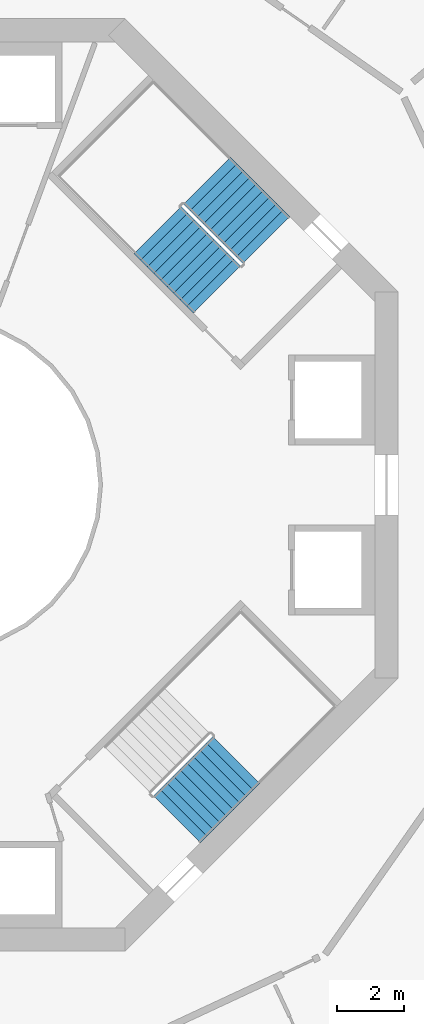
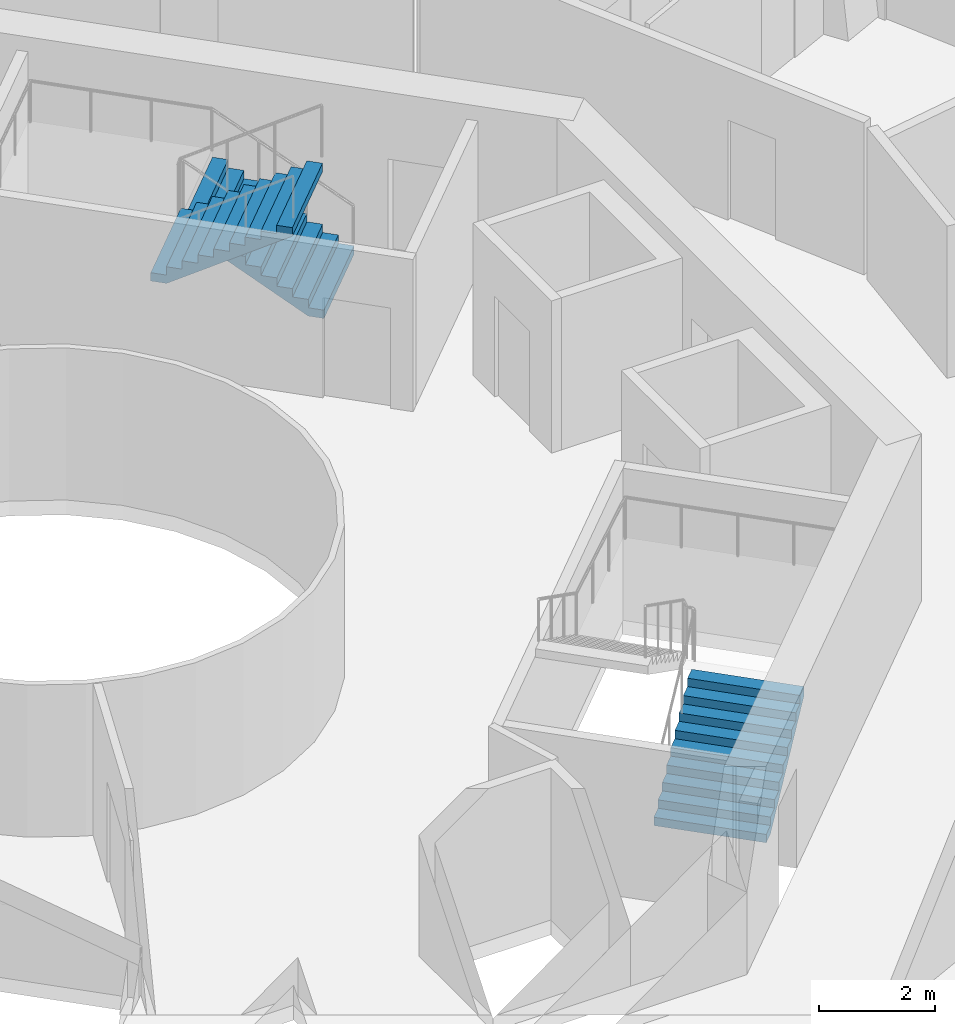
# One storey, part 22 of 23: 3 stair flights, 2 elements without a shape of their own.
"""IFC4 building model written with IfcOpenShell, lengths in metres."""

from ifc_helpers import new_model, si_unit, direction, frame, origin, place, context, subcontext, project, spatial, triangles, material, type_object, element, aggregate, save


model = new_model("IFC4")

# Units and contexts
model_context = context("Model", 3, precision=1e-05, world=origin(), true_north=direction((0.0, 1.0)))
body_context = subcontext(model_context, "Body", "Model", "MODEL_VIEW")
ifc_project = project(units=[si_unit("LENGTHUNIT", "METRE"), si_unit("AREAUNIT", "SQUARE_METRE"), si_unit("VOLUMEUNIT", "CUBIC_METRE"), si_unit("PLANEANGLEUNIT", "RADIAN"), si_unit("MASSUNIT", "GRAM", prefix="KILO")], contexts=[model_context])

# Site, building, storey
site_placement = place(None, origin())
site = spatial("IfcSite", under=ifc_project, at=site_placement, CompositionType="ELEMENT")
building_placement = place(site_placement, origin())
building = spatial("IfcBuilding", under=site, at=building_placement, Name="Verdalira Terraces Hotel", CompositionType="ELEMENT")
storey_placement = place(building_placement, frame((0.0, 0.0, 136.5)))
storey = spatial("IfcBuildingStorey", under=building, at=storey_placement, Name="L32", CompositionType="ELEMENT", Elevation=136.5)

# Stair, stair flights
ifc_material_1 = material(Name="Concrete C40", Category="concrete")
stair_type = type_object("IfcStairType", Name="Core stair 20 risers 2000 mm wide", PredefinedType="HALF_TURN_STAIR", material=ifc_material_1)
stair_1_placement = place(storey_placement, origin())
stair_1 = element("IfcStair", 1, at=stair_1_placement, inside=storey, type_object=stair_type, Name="L32 Exit stair ST1", PredefinedType="HALF_TURN_STAIR")
ifc_material_2 = material(Name="Concrete C40", Category="concrete")
stair_flight_type = type_object("IfcStairFlightType", Name="Core stair flight 20 risers 2000 mm wide", PredefinedType="STRAIGHT", material=ifc_material_2)
stair_flight_1_placement = place(storey_placement, frame((10.041016, 7.354004, 0.0), z_axis=(0.0, 0.0, 1.0), x_axis=(-0.707106781, 0.707106781, 0.0)))
stair_flight_1 = element("IfcStairFlight", 2, at=stair_flight_1_placement, type_object=stair_flight_type, Name="ST1 flight 1", NumberOfRisers=10, NumberOfTreads=9, PredefinedType="STRAIGHT", RiserHeight=0.175, TreadLength=0.28, context=body_context, shape_type="Tessellation", body=[
    triangles([(0.0, 1.0, 0.0), (0.282715, 1.0, 0.0), (2.52002, 1.0, 1.398193), (0.0, -1.0, 0.0), (0.282715, -1.0, 0.0), (2.52002, -1.0, 1.398193), (2.52002, 1.0, 1.574951), (2.23999, 1.0, 1.574951), (2.52002, -1.0, 1.574951), (2.23999, -1.0, 1.574951), (2.23999, 1.0, 1.399902), (2.23999, -1.0, 1.399902), (1.959961, 1.0, 1.399902), (1.959961, -1.0, 1.399902), (1.959961, 1.0, 1.225098), (1.959961, -1.0, 1.225098), (1.679932, 1.0, 1.225098), (1.679932, 1.0, 1.050049), (1.679932, -1.0, 1.225098), (1.679932, -1.0, 1.050049), (1.399902, 1.0, 1.050049), (1.399902, 1.0, 0.875), (1.399902, -1.0, 1.050049), (1.399902, -1.0, 0.875), (1.120117, 1.0, 0.875), (1.120117, 1.0, 0.699951), (1.120117, -1.0, 0.875), (1.120117, -1.0, 0.699951), (0.840088, 1.0, 0.699951), (0.840088, 1.0, 0.524902), (0.840088, -1.0, 0.699951), (0.840088, -1.0, 0.524902), (0.560059, 1.0, 0.524902), (0.560059, 1.0, 0.350098), (0.560059, -1.0, 0.524902), (0.560059, -1.0, 0.350098), (0.280029, 1.0, 0.350098), (0.280029, 1.0, 0.175049), (0.280029, -1.0, 0.350098), (0.280029, -1.0, 0.175049), (0.0, 1.0, 0.175049), (0.0, -1.0, 0.175049), (0.0, -0.9375, 0.0), (0.0, -0.9375, 0.175049), (0.0, -0.875, 0.0), (0.0, -0.875, 0.175049), (0.0, -0.8125, 0.0), (0.0, -0.8125, 0.175049), (0.0, -0.75, 0.0), (0.0, -0.75, 0.175049), (0.0, -0.6875, 0.0), (0.0, -0.6875, 0.175049), (0.0, -0.625, 0.0), (0.0, -0.625, 0.175049), (0.0, -0.5625, 0.0), (0.0, -0.5625, 0.175049), (0.0, -0.5, 0.0), (0.0, -0.5, 0.175049), (0.0, -0.4375, 0.0), (0.0, -0.4375, 0.175049), (0.0, -0.375, 0.0), (0.0, -0.375, 0.175049), (0.0, -0.3125, 0.0), (0.0, -0.3125, 0.175049), (0.0, -0.25, 0.0), (0.0, -0.25, 0.175049), (0.0, -0.1875, 0.0), (0.0, -0.1875, 0.175049), (0.0, -0.125, 0.0), (0.0, -0.125, 0.175049), (0.0, -0.0625, 0.0), (0.0, -0.0625, 0.175049), (0.0, 0.0, 0.0), (0.0, 0.0, 0.175049), (0.0, 0.0625, 0.0), (0.0, 0.0625, 0.175049), (0.0, 0.125, 0.0), (0.0, 0.125, 0.175049), (0.0, 0.1875, 0.0), (0.0, 0.1875, 0.175049), (0.0, 0.25, 0.0), (0.0, 0.25, 0.175049), (0.0, 0.3125, 0.0), (0.0, 0.3125, 0.175049), (0.0, 0.375, 0.0), (0.0, 0.375, 0.175049), (0.0, 0.4375, 0.0), (0.0, 0.4375, 0.175049), (0.0, 0.5, 0.0), (0.0, 0.5, 0.175049), (0.0, 0.5625, 0.0), (0.0, 0.5625, 0.175049), (0.0, 0.625, 0.0), (0.0, 0.625, 0.175049), (0.0, 0.6875, 0.0), (0.0, 0.6875, 0.175049), (0.0, 0.75, 0.0), (0.0, 0.75, 0.175049), (0.0, 0.8125, 0.0), (0.0, 0.8125, 0.175049), (0.0, 0.875, 0.0), (0.0, 0.875, 0.175049), (0.0, 0.9375, 0.0), (0.0, 0.9375, 0.175049), (2.52002, -0.9375, 1.574951), (2.52002, -0.875, 1.574951), (2.52002, -0.8125, 1.574951), (2.52002, -0.75, 1.574951), (2.52002, -0.6875, 1.574951), (2.52002, -0.625, 1.574951), (2.52002, -0.5625, 1.574951), (2.52002, -0.5, 1.574951), (2.52002, -0.4375, 1.574951), (2.52002, -0.375, 1.574951), (2.52002, -0.3125, 1.574951), (2.52002, -0.25, 1.574951), (2.52002, -0.1875, 1.574951), (2.52002, -0.125, 1.574951), (2.52002, -0.0625, 1.574951), (2.52002, 0.0, 1.574951), (2.52002, 0.0625, 1.574951), (2.52002, 0.125, 1.574951), (2.52002, 0.1875, 1.574951), (2.52002, 0.25, 1.574951), (2.52002, 0.3125, 1.574951), (2.52002, 0.375, 1.574951), (2.52002, 0.4375, 1.574951), (2.52002, 0.5, 1.574951), (2.52002, 0.5625, 1.574951), (2.52002, 0.625, 1.574951), (2.52002, 0.6875, 1.574951), (2.52002, 0.75, 1.574951), (2.52002, 0.8125, 1.574951), (2.52002, 0.875, 1.574951), (2.52002, 0.9375, 1.574951), (2.52002, -0.9375, 1.398193), (2.52002, -0.875, 1.398193), (2.52002, -0.8125, 1.398193), (2.52002, -0.75, 1.398193), (2.52002, -0.6875, 1.398193), (2.52002, -0.625, 1.398193), (2.52002, -0.5625, 1.398193), (2.52002, -0.5, 1.398193), (2.52002, -0.4375, 1.398193), (2.52002, -0.375, 1.398193), (2.52002, -0.3125, 1.398193), (2.52002, -0.25, 1.398193), (2.52002, -0.1875, 1.398193), (2.52002, -0.125, 1.398193), (2.52002, -0.0625, 1.398193), (2.52002, 0.0, 1.398193), (2.52002, 0.0625, 1.398193), (2.52002, 0.125, 1.398193), (2.52002, 0.1875, 1.398193), (2.52002, 0.25, 1.398193), (2.52002, 0.3125, 1.398193), (2.52002, 0.375, 1.398193), (2.52002, 0.4375, 1.398193), (2.52002, 0.5, 1.398193), (2.52002, 0.5625, 1.398193), (2.52002, 0.625, 1.398193), (2.52002, 0.6875, 1.398193), (2.52002, 0.75, 1.398193), (2.52002, 0.8125, 1.398193), (2.52002, 0.875, 1.398193), (2.52002, 0.9375, 1.398193)], [[1, 3, 2], [4, 5, 6], [3, 8, 7], [6, 9, 10], [3, 11, 8], [6, 10, 12], [3, 13, 11], [6, 12, 14], [3, 15, 13], [6, 14, 16], [15, 18, 17], [16, 19, 20], [3, 18, 15], [6, 16, 20], [18, 22, 21], [20, 23, 24], [3, 22, 18], [6, 20, 24], [22, 26, 25], [24, 27, 28], [3, 26, 22], [6, 24, 28], [26, 30, 29], [28, 31, 32], [3, 30, 26], [6, 28, 32], [1, 30, 3], [4, 6, 32], [30, 34, 33], [32, 35, 36], [34, 38, 37], [36, 39, 40], [30, 38, 34], [32, 36, 40], [1, 38, 30], [4, 32, 40], [38, 1, 41], [40, 42, 4], [4, 44, 43], [4, 42, 44], [43, 46, 45], [43, 44, 46], [45, 48, 47], [45, 46, 48], [47, 50, 49], [47, 48, 50], [49, 52, 51], [49, 50, 52], [51, 54, 53], [51, 52, 54], [53, 56, 55], [53, 54, 56], [55, 58, 57], [55, 56, 58], [57, 60, 59], [57, 58, 60], [59, 62, 61], [59, 60, 62], [61, 64, 63], [61, 62, 64], [63, 66, 65], [63, 64, 66], [65, 68, 67], [65, 66, 68], [67, 70, 69], [67, 68, 70], [69, 72, 71], [69, 70, 72], [71, 74, 73], [71, 72, 74], [73, 76, 75], [73, 74, 76], [75, 78, 77], [75, 76, 78], [77, 80, 79], [77, 78, 80], [79, 82, 81], [79, 80, 82], [81, 84, 83], [81, 82, 84], [83, 86, 85], [83, 84, 86], [85, 88, 87], [85, 86, 88], [87, 90, 89], [87, 88, 90], [89, 92, 91], [89, 90, 92], [91, 94, 93], [91, 92, 94], [93, 96, 95], [93, 94, 96], [95, 98, 97], [95, 96, 98], [97, 100, 99], [97, 98, 100], [99, 102, 101], [99, 100, 102], [101, 104, 103], [101, 102, 104], [103, 41, 1], [103, 104, 41], [42, 40, 44], [44, 40, 46], [46, 40, 48], [48, 40, 50], [50, 40, 52], [52, 40, 54], [54, 40, 56], [56, 40, 58], [58, 40, 60], [60, 40, 62], [62, 40, 64], [64, 40, 66], [66, 40, 68], [68, 40, 70], [70, 40, 72], [72, 40, 74], [74, 40, 76], [76, 40, 78], [78, 40, 80], [80, 40, 82], [82, 40, 84], [84, 40, 86], [86, 40, 88], [88, 40, 90], [90, 40, 92], [92, 40, 94], [94, 40, 96], [96, 40, 98], [98, 40, 100], [100, 40, 102], [102, 40, 104], [104, 40, 41], [41, 40, 38], [40, 37, 38], [40, 39, 37], [39, 34, 37], [39, 36, 34], [36, 33, 34], [36, 35, 33], [35, 30, 33], [35, 32, 30], [32, 29, 30], [32, 31, 29], [31, 26, 29], [31, 28, 26], [28, 25, 26], [28, 27, 25], [27, 22, 25], [27, 24, 22], [24, 21, 22], [24, 23, 21], [23, 18, 21], [23, 20, 18], [20, 17, 18], [20, 19, 17], [19, 15, 17], [19, 16, 15], [16, 13, 15], [16, 14, 13], [14, 11, 13], [14, 12, 11], [12, 8, 11], [12, 10, 8], [9, 105, 10], [105, 106, 10], [106, 107, 10], [107, 108, 10], [108, 109, 10], [109, 110, 10], [110, 111, 10], [111, 112, 10], [112, 113, 10], [113, 114, 10], [114, 115, 10], [115, 116, 10], [116, 117, 10], [117, 118, 10], [118, 119, 10], [119, 120, 10], [120, 121, 10], [121, 122, 10], [122, 123, 10], [123, 124, 10], [124, 125, 10], [125, 126, 10], [126, 127, 10], [127, 128, 10], [128, 129, 10], [129, 130, 10], [130, 131, 10], [131, 132, 10], [132, 133, 10], [133, 134, 10], [134, 135, 10], [135, 7, 10], [7, 8, 10], [9, 136, 105], [9, 6, 136], [105, 137, 106], [105, 136, 137], [106, 138, 107], [106, 137, 138], [107, 139, 108], [107, 138, 139], [108, 140, 109], [108, 139, 140], [109, 141, 110], [109, 140, 141], [110, 142, 111], [110, 141, 142], [111, 143, 112], [111, 142, 143], [112, 144, 113], [112, 143, 144], [113, 145, 114], [113, 144, 145], [114, 146, 115], [114, 145, 146], [115, 147, 116], [115, 146, 147], [116, 148, 117], [116, 147, 148], [117, 149, 118], [117, 148, 149], [118, 150, 119], [118, 149, 150], [119, 151, 120], [119, 150, 151], [120, 152, 121], [120, 151, 152], [121, 153, 122], [121, 152, 153], [122, 154, 123], [122, 153, 154], [123, 155, 124], [123, 154, 155], [124, 156, 125], [124, 155, 156], [125, 157, 126], [125, 156, 157], [126, 158, 127], [126, 157, 158], [127, 159, 128], [127, 158, 159], [128, 160, 129], [128, 159, 160], [129, 161, 130], [129, 160, 161], [130, 162, 131], [130, 161, 162], [131, 163, 132], [131, 162, 163], [132, 164, 133], [132, 163, 164], [133, 165, 134], [133, 164, 165], [134, 166, 135], [134, 165, 166], [135, 3, 7], [135, 166, 3], [6, 5, 136], [136, 5, 137], [137, 5, 138], [138, 5, 139], [139, 5, 140], [140, 5, 141], [141, 5, 142], [142, 5, 143], [143, 5, 144], [144, 5, 145], [145, 5, 146], [146, 5, 147], [147, 5, 148], [148, 5, 149], [149, 5, 150], [150, 5, 151], [151, 5, 152], [152, 5, 153], [153, 5, 154], [154, 5, 155], [155, 5, 156], [156, 5, 157], [157, 5, 158], [158, 5, 159], [159, 5, 160], [160, 5, 161], [161, 5, 162], [162, 5, 163], [163, 5, 164], [164, 5, 165], [165, 5, 166], [166, 5, 3], [3, 5, 2], [4, 43, 5], [43, 45, 5], [45, 47, 5], [47, 49, 5], [49, 51, 5], [51, 53, 5], [53, 55, 5], [55, 57, 5], [57, 59, 5], [59, 61, 5], [61, 63, 5], [63, 65, 5], [65, 67, 5], [67, 69, 5], [69, 71, 5], [71, 73, 5], [73, 75, 5], [75, 77, 5], [77, 79, 5], [79, 81, 5], [81, 83, 5], [83, 85, 5], [85, 87, 5], [87, 89, 5], [89, 91, 5], [91, 93, 5], [93, 95, 5], [95, 97, 5], [97, 99, 5], [99, 101, 5], [101, 103, 5], [103, 1, 5], [1, 2, 5]], closed=True),
])
stair_flight_2_placement = place(storey_placement, frame((6.77417, 7.650879, 1.75), z_axis=(0.0, 0.0, 1.0), x_axis=(0.707106781, -0.707106781, 0.0)))
stair_flight_2 = element("IfcStairFlight", 3, at=stair_flight_2_placement, type_object=stair_flight_type, Name="ST1 flight 2", NumberOfRisers=10, NumberOfTreads=9, PredefinedType="STRAIGHT", RiserHeight=0.175, TreadLength=0.28, context=body_context, shape_type="Tessellation", body=[
    triangles([(0.0, 1.0, 0.0), (0.282715, 1.0, 0.0), (2.52002, 1.0, 1.398193), (0.0, -1.0, 0.0), (0.282715, -1.0, 0.0), (2.52002, -1.0, 1.398193), (2.52002, 1.0, 1.574951), (2.23999, 1.0, 1.574951), (2.52002, -1.0, 1.574951), (2.23999, -1.0, 1.574951), (2.23999, 1.0, 1.399902), (2.23999, -1.0, 1.399902), (1.959961, 1.0, 1.399902), (1.959961, -1.0, 1.399902), (1.959961, 1.0, 1.225098), (1.959961, -1.0, 1.225098), (1.679932, 1.0, 1.225098), (1.679932, 1.0, 1.050049), (1.679932, -1.0, 1.225098), (1.679932, -1.0, 1.050049), (1.399902, 1.0, 1.050049), (1.399902, 1.0, 0.875), (1.399902, -1.0, 1.050049), (1.399902, -1.0, 0.875), (1.120117, 1.0, 0.875), (1.120117, 1.0, 0.699951), (1.120117, -1.0, 0.875), (1.120117, -1.0, 0.699951), (0.840088, 1.0, 0.699951), (0.840088, 1.0, 0.524902), (0.840088, -1.0, 0.699951), (0.840088, -1.0, 0.524902), (0.560059, 1.0, 0.524902), (0.560059, 1.0, 0.350098), (0.560059, -1.0, 0.524902), (0.560059, -1.0, 0.350098), (0.280029, 1.0, 0.350098), (0.280029, 1.0, 0.175049), (0.280029, -1.0, 0.350098), (0.280029, -1.0, 0.175049), (0.0, 1.0, 0.175049), (0.0, -1.0, 0.175049), (0.0, -0.9375, 0.0), (0.0, -0.9375, 0.175049), (0.0, -0.875, 0.0), (0.0, -0.875, 0.175049), (0.0, -0.8125, 0.0), (0.0, -0.8125, 0.175049), (0.0, -0.75, 0.0), (0.0, -0.75, 0.175049), (0.0, -0.6875, 0.0), (0.0, -0.6875, 0.175049), (0.0, -0.625, 0.0), (0.0, -0.625, 0.175049), (0.0, -0.5625, 0.0), (0.0, -0.5625, 0.175049), (0.0, -0.5, 0.0), (0.0, -0.5, 0.175049), (0.0, -0.4375, 0.0), (0.0, -0.4375, 0.175049), (0.0, -0.375, 0.0), (0.0, -0.375, 0.175049), (0.0, -0.3125, 0.0), (0.0, -0.3125, 0.175049), (0.0, -0.25, 0.0), (0.0, -0.25, 0.175049), (0.0, -0.1875, 0.0), (0.0, -0.1875, 0.175049), (0.0, -0.125, 0.0), (0.0, -0.125, 0.175049), (0.0, -0.0625, 0.0), (0.0, -0.0625, 0.175049), (0.0, 0.0, 0.0), (0.0, 0.0, 0.175049), (0.0, 0.0625, 0.0), (0.0, 0.0625, 0.175049), (0.0, 0.125, 0.0), (0.0, 0.125, 0.175049), (0.0, 0.1875, 0.0), (0.0, 0.1875, 0.175049), (0.0, 0.25, 0.0), (0.0, 0.25, 0.175049), (0.0, 0.3125, 0.0), (0.0, 0.3125, 0.175049), (0.0, 0.375, 0.0), (0.0, 0.375, 0.175049), (0.0, 0.4375, 0.0), (0.0, 0.4375, 0.175049), (0.0, 0.5, 0.0), (0.0, 0.5, 0.175049), (0.0, 0.5625, 0.0), (0.0, 0.5625, 0.175049), (0.0, 0.625, 0.0), (0.0, 0.625, 0.175049), (0.0, 0.6875, 0.0), (0.0, 0.6875, 0.175049), (0.0, 0.75, 0.0), (0.0, 0.75, 0.175049), (0.0, 0.8125, 0.0), (0.0, 0.8125, 0.175049), (0.0, 0.875, 0.0), (0.0, 0.875, 0.175049), (0.0, 0.9375, 0.0), (0.0, 0.9375, 0.175049), (2.52002, -0.9375, 1.574951), (2.52002, -0.875, 1.574951), (2.52002, -0.8125, 1.574951), (2.52002, -0.75, 1.574951), (2.52002, -0.6875, 1.574951), (2.52002, -0.625, 1.574951), (2.52002, -0.5625, 1.574951), (2.52002, -0.5, 1.574951), (2.52002, -0.4375, 1.574951), (2.52002, -0.375, 1.574951), (2.52002, -0.3125, 1.574951), (2.52002, -0.25, 1.574951), (2.52002, -0.1875, 1.574951), (2.52002, -0.125, 1.574951), (2.52002, -0.0625, 1.574951), (2.52002, 0.0, 1.574951), (2.52002, 0.0625, 1.574951), (2.52002, 0.125, 1.574951), (2.52002, 0.1875, 1.574951), (2.52002, 0.25, 1.574951), (2.52002, 0.3125, 1.574951), (2.52002, 0.375, 1.574951), (2.52002, 0.4375, 1.574951), (2.52002, 0.5, 1.574951), (2.52002, 0.5625, 1.574951), (2.52002, 0.625, 1.574951), (2.52002, 0.6875, 1.574951), (2.52002, 0.75, 1.574951), (2.52002, 0.8125, 1.574951), (2.52002, 0.875, 1.574951), (2.52002, 0.9375, 1.574951), (2.52002, -0.9375, 1.398193), (2.52002, -0.875, 1.398193), (2.52002, -0.8125, 1.398193), (2.52002, -0.75, 1.398193), (2.52002, -0.6875, 1.398193), (2.52002, -0.625, 1.398193), (2.52002, -0.5625, 1.398193), (2.52002, -0.5, 1.398193), (2.52002, -0.4375, 1.398193), (2.52002, -0.375, 1.398193), (2.52002, -0.3125, 1.398193), (2.52002, -0.25, 1.398193), (2.52002, -0.1875, 1.398193), (2.52002, -0.125, 1.398193), (2.52002, -0.0625, 1.398193), (2.52002, 0.0, 1.398193), (2.52002, 0.0625, 1.398193), (2.52002, 0.125, 1.398193), (2.52002, 0.1875, 1.398193), (2.52002, 0.25, 1.398193), (2.52002, 0.3125, 1.398193), (2.52002, 0.375, 1.398193), (2.52002, 0.4375, 1.398193), (2.52002, 0.5, 1.398193), (2.52002, 0.5625, 1.398193), (2.52002, 0.625, 1.398193), (2.52002, 0.6875, 1.398193), (2.52002, 0.75, 1.398193), (2.52002, 0.8125, 1.398193), (2.52002, 0.875, 1.398193), (2.52002, 0.9375, 1.398193)], [[1, 3, 2], [4, 5, 6], [3, 8, 7], [6, 9, 10], [3, 11, 8], [6, 10, 12], [3, 13, 11], [6, 12, 14], [3, 15, 13], [6, 14, 16], [15, 18, 17], [16, 19, 20], [3, 18, 15], [6, 16, 20], [18, 22, 21], [20, 23, 24], [3, 22, 18], [6, 20, 24], [22, 26, 25], [24, 27, 28], [3, 26, 22], [6, 24, 28], [26, 30, 29], [28, 31, 32], [3, 30, 26], [6, 28, 32], [1, 30, 3], [4, 6, 32], [30, 34, 33], [32, 35, 36], [34, 38, 37], [36, 39, 40], [30, 38, 34], [32, 36, 40], [1, 38, 30], [4, 32, 40], [38, 1, 41], [40, 42, 4], [4, 44, 43], [4, 42, 44], [43, 46, 45], [43, 44, 46], [45, 48, 47], [45, 46, 48], [47, 50, 49], [47, 48, 50], [49, 52, 51], [49, 50, 52], [51, 54, 53], [51, 52, 54], [53, 56, 55], [53, 54, 56], [55, 58, 57], [55, 56, 58], [57, 60, 59], [57, 58, 60], [59, 62, 61], [59, 60, 62], [61, 64, 63], [61, 62, 64], [63, 66, 65], [63, 64, 66], [65, 68, 67], [65, 66, 68], [67, 70, 69], [67, 68, 70], [69, 72, 71], [69, 70, 72], [71, 74, 73], [71, 72, 74], [73, 76, 75], [73, 74, 76], [75, 78, 77], [75, 76, 78], [77, 80, 79], [77, 78, 80], [79, 82, 81], [79, 80, 82], [81, 84, 83], [81, 82, 84], [83, 86, 85], [83, 84, 86], [85, 88, 87], [85, 86, 88], [87, 90, 89], [87, 88, 90], [89, 92, 91], [89, 90, 92], [91, 94, 93], [91, 92, 94], [93, 96, 95], [93, 94, 96], [95, 98, 97], [95, 96, 98], [97, 100, 99], [97, 98, 100], [99, 102, 101], [99, 100, 102], [101, 104, 103], [101, 102, 104], [103, 41, 1], [103, 104, 41], [42, 40, 44], [44, 40, 46], [46, 40, 48], [48, 40, 50], [50, 40, 52], [52, 40, 54], [54, 40, 56], [56, 40, 58], [58, 40, 60], [60, 40, 62], [62, 40, 64], [64, 40, 66], [66, 40, 68], [68, 40, 70], [70, 40, 72], [72, 40, 74], [74, 40, 76], [76, 40, 78], [78, 40, 80], [80, 40, 82], [82, 40, 84], [84, 40, 86], [86, 40, 88], [88, 40, 90], [90, 40, 92], [92, 40, 94], [94, 40, 96], [96, 40, 98], [98, 40, 100], [100, 40, 102], [102, 40, 104], [104, 40, 41], [41, 40, 38], [40, 37, 38], [40, 39, 37], [39, 34, 37], [39, 36, 34], [36, 33, 34], [36, 35, 33], [35, 30, 33], [35, 32, 30], [32, 29, 30], [32, 31, 29], [31, 26, 29], [31, 28, 26], [28, 25, 26], [28, 27, 25], [27, 22, 25], [27, 24, 22], [24, 21, 22], [24, 23, 21], [23, 18, 21], [23, 20, 18], [20, 17, 18], [20, 19, 17], [19, 15, 17], [19, 16, 15], [16, 13, 15], [16, 14, 13], [14, 11, 13], [14, 12, 11], [12, 8, 11], [12, 10, 8], [9, 105, 10], [105, 106, 10], [106, 107, 10], [107, 108, 10], [108, 109, 10], [109, 110, 10], [110, 111, 10], [111, 112, 10], [112, 113, 10], [113, 114, 10], [114, 115, 10], [115, 116, 10], [116, 117, 10], [117, 118, 10], [118, 119, 10], [119, 120, 10], [120, 121, 10], [121, 122, 10], [122, 123, 10], [123, 124, 10], [124, 125, 10], [125, 126, 10], [126, 127, 10], [127, 128, 10], [128, 129, 10], [129, 130, 10], [130, 131, 10], [131, 132, 10], [132, 133, 10], [133, 134, 10], [134, 135, 10], [135, 7, 10], [7, 8, 10], [9, 136, 105], [9, 6, 136], [105, 137, 106], [105, 136, 137], [106, 138, 107], [106, 137, 138], [107, 139, 108], [107, 138, 139], [108, 140, 109], [108, 139, 140], [109, 141, 110], [109, 140, 141], [110, 142, 111], [110, 141, 142], [111, 143, 112], [111, 142, 143], [112, 144, 113], [112, 143, 144], [113, 145, 114], [113, 144, 145], [114, 146, 115], [114, 145, 146], [115, 147, 116], [115, 146, 147], [116, 148, 117], [116, 147, 148], [117, 149, 118], [117, 148, 149], [118, 150, 119], [118, 149, 150], [119, 151, 120], [119, 150, 151], [120, 152, 121], [120, 151, 152], [121, 153, 122], [121, 152, 153], [122, 154, 123], [122, 153, 154], [123, 155, 124], [123, 154, 155], [124, 156, 125], [124, 155, 156], [125, 157, 126], [125, 156, 157], [126, 158, 127], [126, 157, 158], [127, 159, 128], [127, 158, 159], [128, 160, 129], [128, 159, 160], [129, 161, 130], [129, 160, 161], [130, 162, 131], [130, 161, 162], [131, 163, 132], [131, 162, 163], [132, 164, 133], [132, 163, 164], [133, 165, 134], [133, 164, 165], [134, 166, 135], [134, 165, 166], [135, 3, 7], [135, 166, 3], [6, 5, 136], [136, 5, 137], [137, 5, 138], [138, 5, 139], [139, 5, 140], [140, 5, 141], [141, 5, 142], [142, 5, 143], [143, 5, 144], [144, 5, 145], [145, 5, 146], [146, 5, 147], [147, 5, 148], [148, 5, 149], [149, 5, 150], [150, 5, 151], [151, 5, 152], [152, 5, 153], [153, 5, 154], [154, 5, 155], [155, 5, 156], [156, 5, 157], [157, 5, 158], [158, 5, 159], [159, 5, 160], [160, 5, 161], [161, 5, 162], [162, 5, 163], [163, 5, 164], [164, 5, 165], [165, 5, 166], [166, 5, 3], [3, 5, 2], [4, 43, 5], [43, 45, 5], [45, 47, 5], [47, 49, 5], [49, 51, 5], [51, 53, 5], [53, 55, 5], [55, 57, 5], [57, 59, 5], [59, 61, 5], [61, 63, 5], [63, 65, 5], [65, 67, 5], [67, 69, 5], [69, 71, 5], [71, 73, 5], [73, 75, 5], [75, 77, 5], [77, 79, 5], [79, 81, 5], [81, 83, 5], [83, 85, 5], [85, 87, 5], [87, 89, 5], [89, 91, 5], [91, 93, 5], [93, 95, 5], [95, 97, 5], [97, 99, 5], [99, 101, 5], [101, 103, 5], [103, 1, 5], [1, 2, 5]], closed=True),
])
aggregate(stair_1, [stair_flight_1, stair_flight_2])

# Stair, stair flight
stair_2_placement = place(storey_placement, origin())
stair_2 = element("IfcStair", 4, at=stair_2_placement, inside=storey, type_object=stair_type, Name="L32 Exit stair ST3", PredefinedType="HALF_TURN_STAIR")
stair_flight_3_placement = place(storey_placement, frame((7.354004, -10.041016, 0.0), z_axis=(0.0, 0.0, 1.0), x_axis=(0.707106781, 0.707106781, 0.0)))
stair_flight_3 = element("IfcStairFlight", 5, at=stair_flight_3_placement, type_object=stair_flight_type, Name="ST3 flight 1", NumberOfRisers=10, NumberOfTreads=9, PredefinedType="STRAIGHT", RiserHeight=0.175, TreadLength=0.28, context=body_context, shape_type="Tessellation", body=[
    triangles([(0.0, 1.0, 0.0), (0.282715, 1.0, 0.0), (2.52002, 1.0, 1.398193), (0.0, -1.0, 0.0), (0.282715, -1.0, 0.0), (2.52002, -1.0, 1.398193), (2.52002, 1.0, 1.574951), (2.23999, 1.0, 1.574951), (2.52002, -1.0, 1.574951), (2.23999, -1.0, 1.574951), (2.23999, 1.0, 1.399902), (2.23999, -1.0, 1.399902), (1.959961, 1.0, 1.399902), (1.959961, -1.0, 1.399902), (1.959961, 1.0, 1.225098), (1.959961, -1.0, 1.225098), (1.679932, 1.0, 1.225098), (1.679932, 1.0, 1.050049), (1.679932, -1.0, 1.225098), (1.679932, -1.0, 1.050049), (1.399902, 1.0, 1.050049), (1.399902, 1.0, 0.875), (1.399902, -1.0, 1.050049), (1.399902, -1.0, 0.875), (1.120117, 1.0, 0.875), (1.120117, 1.0, 0.699951), (1.120117, -1.0, 0.875), (1.120117, -1.0, 0.699951), (0.840088, 1.0, 0.699951), (0.840088, 1.0, 0.524902), (0.840088, -1.0, 0.699951), (0.840088, -1.0, 0.524902), (0.560059, 1.0, 0.524902), (0.560059, 1.0, 0.350098), (0.560059, -1.0, 0.524902), (0.560059, -1.0, 0.350098), (0.280029, 1.0, 0.350098), (0.280029, 1.0, 0.175049), (0.280029, -1.0, 0.350098), (0.280029, -1.0, 0.175049), (0.0, 1.0, 0.175049), (0.0, -1.0, 0.175049), (0.0, -0.9375, 0.0), (0.0, -0.9375, 0.175049), (0.0, -0.875, 0.0), (0.0, -0.875, 0.175049), (0.0, -0.8125, 0.0), (0.0, -0.8125, 0.175049), (0.0, -0.75, 0.0), (0.0, -0.75, 0.175049), (0.0, -0.6875, 0.0), (0.0, -0.6875, 0.175049), (0.0, -0.625, 0.0), (0.0, -0.625, 0.175049), (0.0, -0.5625, 0.0), (0.0, -0.5625, 0.175049), (0.0, -0.5, 0.0), (0.0, -0.5, 0.175049), (0.0, -0.4375, 0.0), (0.0, -0.4375, 0.175049), (0.0, -0.375, 0.0), (0.0, -0.375, 0.175049), (0.0, -0.3125, 0.0), (0.0, -0.3125, 0.175049), (0.0, -0.25, 0.0), (0.0, -0.25, 0.175049), (0.0, -0.1875, 0.0), (0.0, -0.1875, 0.175049), (0.0, -0.125, 0.0), (0.0, -0.125, 0.175049), (0.0, -0.0625, 0.0), (0.0, -0.0625, 0.175049), (0.0, 0.0, 0.0), (0.0, 0.0, 0.175049), (0.0, 0.0625, 0.0), (0.0, 0.0625, 0.175049), (0.0, 0.125, 0.0), (0.0, 0.125, 0.175049), (0.0, 0.1875, 0.0), (0.0, 0.1875, 0.175049), (0.0, 0.25, 0.0), (0.0, 0.25, 0.175049), (0.0, 0.3125, 0.0), (0.0, 0.3125, 0.175049), (0.0, 0.375, 0.0), (0.0, 0.375, 0.175049), (0.0, 0.4375, 0.0), (0.0, 0.4375, 0.175049), (0.0, 0.5, 0.0), (0.0, 0.5, 0.175049), (0.0, 0.5625, 0.0), (0.0, 0.5625, 0.175049), (0.0, 0.625, 0.0), (0.0, 0.625, 0.175049), (0.0, 0.6875, 0.0), (0.0, 0.6875, 0.175049), (0.0, 0.75, 0.0), (0.0, 0.75, 0.175049), (0.0, 0.8125, 0.0), (0.0, 0.8125, 0.175049), (0.0, 0.875, 0.0), (0.0, 0.875, 0.175049), (0.0, 0.9375, 0.0), (0.0, 0.9375, 0.175049), (2.52002, -0.9375, 1.574951), (2.52002, -0.875, 1.574951), (2.52002, -0.8125, 1.574951), (2.52002, -0.75, 1.574951), (2.52002, -0.6875, 1.574951), (2.52002, -0.625, 1.574951), (2.52002, -0.5625, 1.574951), (2.52002, -0.5, 1.574951), (2.52002, -0.4375, 1.574951), (2.52002, -0.375, 1.574951), (2.52002, -0.3125, 1.574951), (2.52002, -0.25, 1.574951), (2.52002, -0.1875, 1.574951), (2.52002, -0.125, 1.574951), (2.52002, -0.0625, 1.574951), (2.52002, 0.0, 1.574951), (2.52002, 0.0625, 1.574951), (2.52002, 0.125, 1.574951), (2.52002, 0.1875, 1.574951), (2.52002, 0.25, 1.574951), (2.52002, 0.3125, 1.574951), (2.52002, 0.375, 1.574951), (2.52002, 0.4375, 1.574951), (2.52002, 0.5, 1.574951), (2.52002, 0.5625, 1.574951), (2.52002, 0.625, 1.574951), (2.52002, 0.6875, 1.574951), (2.52002, 0.75, 1.574951), (2.52002, 0.8125, 1.574951), (2.52002, 0.875, 1.574951), (2.52002, 0.9375, 1.574951), (2.52002, -0.9375, 1.398193), (2.52002, -0.875, 1.398193), (2.52002, -0.8125, 1.398193), (2.52002, -0.75, 1.398193), (2.52002, -0.6875, 1.398193), (2.52002, -0.625, 1.398193), (2.52002, -0.5625, 1.398193), (2.52002, -0.5, 1.398193), (2.52002, -0.4375, 1.398193), (2.52002, -0.375, 1.398193), (2.52002, -0.3125, 1.398193), (2.52002, -0.25, 1.398193), (2.52002, -0.1875, 1.398193), (2.52002, -0.125, 1.398193), (2.52002, -0.0625, 1.398193), (2.52002, 0.0, 1.398193), (2.52002, 0.0625, 1.398193), (2.52002, 0.125, 1.398193), (2.52002, 0.1875, 1.398193), (2.52002, 0.25, 1.398193), (2.52002, 0.3125, 1.398193), (2.52002, 0.375, 1.398193), (2.52002, 0.4375, 1.398193), (2.52002, 0.5, 1.398193), (2.52002, 0.5625, 1.398193), (2.52002, 0.625, 1.398193), (2.52002, 0.6875, 1.398193), (2.52002, 0.75, 1.398193), (2.52002, 0.8125, 1.398193), (2.52002, 0.875, 1.398193), (2.52002, 0.9375, 1.398193)], [[1, 3, 2], [4, 5, 6], [3, 8, 7], [6, 9, 10], [3, 11, 8], [6, 10, 12], [3, 13, 11], [6, 12, 14], [3, 15, 13], [6, 14, 16], [15, 18, 17], [16, 19, 20], [3, 18, 15], [6, 16, 20], [18, 22, 21], [20, 23, 24], [3, 22, 18], [6, 20, 24], [22, 26, 25], [24, 27, 28], [3, 26, 22], [6, 24, 28], [26, 30, 29], [28, 31, 32], [3, 30, 26], [6, 28, 32], [1, 30, 3], [4, 6, 32], [30, 34, 33], [32, 35, 36], [34, 38, 37], [36, 39, 40], [30, 38, 34], [32, 36, 40], [1, 38, 30], [4, 32, 40], [38, 1, 41], [40, 42, 4], [4, 44, 43], [4, 42, 44], [43, 46, 45], [43, 44, 46], [45, 48, 47], [45, 46, 48], [47, 50, 49], [47, 48, 50], [49, 52, 51], [49, 50, 52], [51, 54, 53], [51, 52, 54], [53, 56, 55], [53, 54, 56], [55, 58, 57], [55, 56, 58], [57, 60, 59], [57, 58, 60], [59, 62, 61], [59, 60, 62], [61, 64, 63], [61, 62, 64], [63, 66, 65], [63, 64, 66], [65, 68, 67], [65, 66, 68], [67, 70, 69], [67, 68, 70], [69, 72, 71], [69, 70, 72], [71, 74, 73], [71, 72, 74], [73, 76, 75], [73, 74, 76], [75, 78, 77], [75, 76, 78], [77, 80, 79], [77, 78, 80], [79, 82, 81], [79, 80, 82], [81, 84, 83], [81, 82, 84], [83, 86, 85], [83, 84, 86], [85, 88, 87], [85, 86, 88], [87, 90, 89], [87, 88, 90], [89, 92, 91], [89, 90, 92], [91, 94, 93], [91, 92, 94], [93, 96, 95], [93, 94, 96], [95, 98, 97], [95, 96, 98], [97, 100, 99], [97, 98, 100], [99, 102, 101], [99, 100, 102], [101, 104, 103], [101, 102, 104], [103, 41, 1], [103, 104, 41], [42, 40, 44], [44, 40, 46], [46, 40, 48], [48, 40, 50], [50, 40, 52], [52, 40, 54], [54, 40, 56], [56, 40, 58], [58, 40, 60], [60, 40, 62], [62, 40, 64], [64, 40, 66], [66, 40, 68], [68, 40, 70], [70, 40, 72], [72, 40, 74], [74, 40, 76], [76, 40, 78], [78, 40, 80], [80, 40, 82], [82, 40, 84], [84, 40, 86], [86, 40, 88], [88, 40, 90], [90, 40, 92], [92, 40, 94], [94, 40, 96], [96, 40, 98], [98, 40, 100], [100, 40, 102], [102, 40, 104], [104, 40, 41], [41, 40, 38], [40, 37, 38], [40, 39, 37], [39, 34, 37], [39, 36, 34], [36, 33, 34], [36, 35, 33], [35, 30, 33], [35, 32, 30], [32, 29, 30], [32, 31, 29], [31, 26, 29], [31, 28, 26], [28, 25, 26], [28, 27, 25], [27, 22, 25], [27, 24, 22], [24, 21, 22], [24, 23, 21], [23, 18, 21], [23, 20, 18], [20, 17, 18], [20, 19, 17], [19, 15, 17], [19, 16, 15], [16, 13, 15], [16, 14, 13], [14, 11, 13], [14, 12, 11], [12, 8, 11], [12, 10, 8], [9, 105, 10], [105, 106, 10], [106, 107, 10], [107, 108, 10], [108, 109, 10], [109, 110, 10], [110, 111, 10], [111, 112, 10], [112, 113, 10], [113, 114, 10], [114, 115, 10], [115, 116, 10], [116, 117, 10], [117, 118, 10], [118, 119, 10], [119, 120, 10], [120, 121, 10], [121, 122, 10], [122, 123, 10], [123, 124, 10], [124, 125, 10], [125, 126, 10], [126, 127, 10], [127, 128, 10], [128, 129, 10], [129, 130, 10], [130, 131, 10], [131, 132, 10], [132, 133, 10], [133, 134, 10], [134, 135, 10], [135, 7, 10], [7, 8, 10], [9, 136, 105], [9, 6, 136], [105, 137, 106], [105, 136, 137], [106, 138, 107], [106, 137, 138], [107, 139, 108], [107, 138, 139], [108, 140, 109], [108, 139, 140], [109, 141, 110], [109, 140, 141], [110, 142, 111], [110, 141, 142], [111, 143, 112], [111, 142, 143], [112, 144, 113], [112, 143, 144], [113, 145, 114], [113, 144, 145], [114, 146, 115], [114, 145, 146], [115, 147, 116], [115, 146, 147], [116, 148, 117], [116, 147, 148], [117, 149, 118], [117, 148, 149], [118, 150, 119], [118, 149, 150], [119, 151, 120], [119, 150, 151], [120, 152, 121], [120, 151, 152], [121, 153, 122], [121, 152, 153], [122, 154, 123], [122, 153, 154], [123, 155, 124], [123, 154, 155], [124, 156, 125], [124, 155, 156], [125, 157, 126], [125, 156, 157], [126, 158, 127], [126, 157, 158], [127, 159, 128], [127, 158, 159], [128, 160, 129], [128, 159, 160], [129, 161, 130], [129, 160, 161], [130, 162, 131], [130, 161, 162], [131, 163, 132], [131, 162, 163], [132, 164, 133], [132, 163, 164], [133, 165, 134], [133, 164, 165], [134, 166, 135], [134, 165, 166], [135, 3, 7], [135, 166, 3], [6, 5, 136], [136, 5, 137], [137, 5, 138], [138, 5, 139], [139, 5, 140], [140, 5, 141], [141, 5, 142], [142, 5, 143], [143, 5, 144], [144, 5, 145], [145, 5, 146], [146, 5, 147], [147, 5, 148], [148, 5, 149], [149, 5, 150], [150, 5, 151], [151, 5, 152], [152, 5, 153], [153, 5, 154], [154, 5, 155], [155, 5, 156], [156, 5, 157], [157, 5, 158], [158, 5, 159], [159, 5, 160], [160, 5, 161], [161, 5, 162], [162, 5, 163], [163, 5, 164], [164, 5, 165], [165, 5, 166], [166, 5, 3], [3, 5, 2], [4, 43, 5], [43, 45, 5], [45, 47, 5], [47, 49, 5], [49, 51, 5], [51, 53, 5], [53, 55, 5], [55, 57, 5], [57, 59, 5], [59, 61, 5], [61, 63, 5], [63, 65, 5], [65, 67, 5], [67, 69, 5], [69, 71, 5], [71, 73, 5], [73, 75, 5], [75, 77, 5], [77, 79, 5], [79, 81, 5], [81, 83, 5], [83, 85, 5], [85, 87, 5], [87, 89, 5], [89, 91, 5], [91, 93, 5], [93, 95, 5], [95, 97, 5], [97, 99, 5], [99, 101, 5], [101, 103, 5], [103, 1, 5], [1, 2, 5]], closed=True),
])
aggregate(stair_2, [stair_flight_3])

save(model, "model.ifc")
